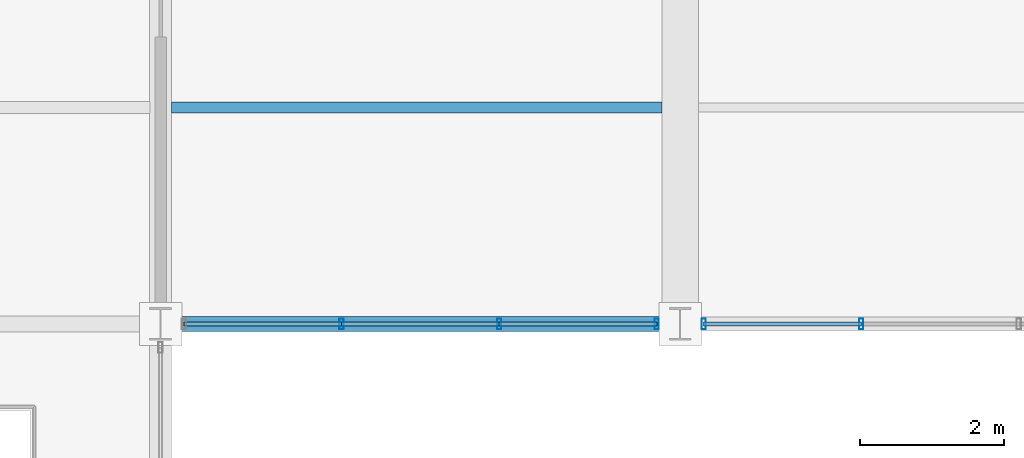
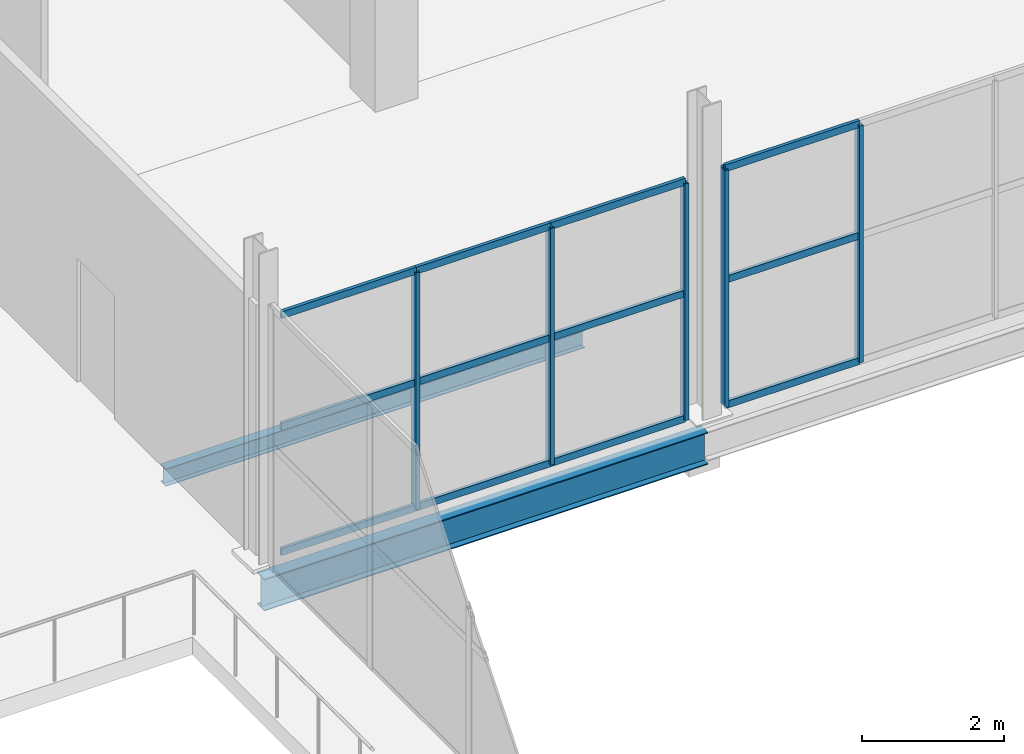
# One storey, part 48 of 147: 17 members, 2 beams, 2 elements without a shape of their own.
"""IFC4 building model written with IfcOpenShell, lengths in metres."""

from ifc_helpers import new_model, si_unit, direction, frame, origin, origin_2d, place, context, subcontext, project, spatial, hollow_rectangle, i_section, extrude, material, layer, layer_set, material_profile, profile_set, type_object, element, aggregate, save


model = new_model("IFC4")

# Units and contexts
model_context = context("Model", 3, precision=1e-05, world=origin(), true_north=direction((0.0, 1.0)))
body_context = subcontext(model_context, "Body", "Model", "MODEL_VIEW")
ifc_project = project(units=[si_unit("LENGTHUNIT", "METRE"), si_unit("AREAUNIT", "SQUARE_METRE"), si_unit("VOLUMEUNIT", "CUBIC_METRE"), si_unit("PLANEANGLEUNIT", "RADIAN"), si_unit("MASSUNIT", "GRAM", prefix="KILO")], contexts=[model_context])

# Site, building, storey
site_placement = place(None, origin())
site = spatial("IfcSite", under=ifc_project, at=site_placement, CompositionType="ELEMENT")
building_placement = place(site_placement, origin())
building = spatial("IfcBuilding", under=site, at=building_placement, Name="Sundgate Opera House", CompositionType="ELEMENT")
storey_placement = place(building_placement, frame((0.0, 0.0, 6.0)))
storey = spatial("IfcBuildingStorey", under=building, at=storey_placement, Name="L01", CompositionType="ELEMENT", Elevation=6.0)

# Beams
ifc_material_1 = material(Name="Steel S355J2", Category="steel")
ifc_material_profile_1 = material_profile(ifc_material_1, i_section(OverallWidth=0.2099609375, OverallDepth=0.550048828125, WebThickness=0.010986328125, FlangeThickness=0.01708984375, at=origin_2d()), Name="IPE 550")
ifc_profile_set_1 = profile_set([ifc_material_profile_1], Name="Steel S355J2")
beam_type_1 = type_object("IfcBeamType", Name="BM-GR-IPE550", PredefinedType="BEAM", material=ifc_profile_set_1)
beam_1_placement = place(storey_placement, frame((117.0, 60.0, -0.574951171875), z_axis=(1.0, 0.0, 0.0), x_axis=(0.0, 1.0, 0.0)))
element("IfcBeam", 1, at=beam_1_placement, inside=storey, type_object=beam_type_1, Name="L01 Primary E-W Girder B1351", PredefinedType="BEAM", context=body_context, shape_type="SweptSolid", body=[
    extrude(i_section(OverallWidth=0.2099609375, OverallDepth=0.550048828125, WebThickness=0.010986328125, FlangeThickness=0.01708984375, at=origin_2d()), origin(), (0.0, 0.0, 1.0), 7.199951171875),
])
ifc_material_2 = material(Name="Steel S355J2", Category="steel")
ifc_material_profile_2 = material_profile(ifc_material_2, i_section(OverallWidth=0.14990234375, OverallDepth=0.300048828125, WebThickness=0.007080078125, FlangeThickness=0.0107421875, at=origin_2d()), Name="IPE 300")
ifc_profile_set_2 = profile_set([ifc_material_profile_2], Name="Steel S355J2")
beam_type_2 = type_object("IfcBeamType", Name="BM-JS-IPE300", PredefinedType="JOIST", material=ifc_profile_set_2)
beam_2_placement = place(storey_placement, frame((117.14990234375, 63.0, -0.449951171875), z_axis=(1.0, 0.0, 0.0), x_axis=(0.0, 1.0, 0.0)))
element("IfcBeam", 2, at=beam_2_placement, inside=storey, type_object=beam_type_2, Name="L01 Secondary Floor Joist B1600", PredefinedType="JOIST", context=body_context, shape_type="SweptSolid", body=[
    extrude(i_section(OverallWidth=0.14990234375, OverallDepth=0.300048828125, WebThickness=0.007080078125, FlangeThickness=0.0107421875, at=origin_2d()), origin(), (0.0, 0.0, 1.0), 6.800048828125),
])

# Curtain wall, members
ifc_material_3 = material(Name="Anodized aluminium and low-iron glass", Category="aluminium")
ifc_layer = layer(ifc_material_3, 0.159912109375)
ifc_layer_set = layer_set([ifc_layer], Name="Anodized aluminium and low-iron glass")
curtain_wall_type = type_object("IfcCurtainWallType", Name="CW-STUDIO-DARK", PredefinedType="NOTDEFINED", material=ifc_layer_set)
curtain_wall_1_placement = place(storey_placement, origin())
curtain_wall_1 = element("IfcCurtainWall", 3, at=curtain_wall_1_placement, inside=storey, type_object=curtain_wall_type, Name="L01 Curtain Wall CW053", PredefinedType="NOTDEFINED")
ifc_material_4 = material(Name="Anodized aluminium EN AW-6063", Category="aluminium")
ifc_material_profile_3 = material_profile(ifc_material_4, hollow_rectangle(XDim=0.06005859375, YDim=0.14990234375, WallThickness=0.00390625, at=origin_2d()), Name="CWM 150x60x4")
ifc_profile_set_3 = profile_set([ifc_material_profile_3], Name="Anodized aluminium EN AW-6063")
member_type_1 = type_object("IfcMemberType", Name="CWM-ALU-150x60", PredefinedType="MULLION", material=ifc_profile_set_3)
member_1_placement = place(storey_placement, frame((123.875, 60.0, 0.0), z_axis=(0.0, 0.0, 1.0), x_axis=(1.0, 0.0, 0.0)))
member_1 = element("IfcMember", 4, at=member_1_placement, type_object=member_type_1, Name="CW053 Mullion 1", PredefinedType="MULLION", context=body_context, shape_type="SweptSolid", body=[
    extrude(hollow_rectangle(XDim=0.06005859375, YDim=0.14990234375, WallThickness=0.00390625, at=origin_2d()), origin(), (0.0, 0.0, 1.0), 4.06494140625),
])
member_2_placement = place(storey_placement, frame((121.691650390625, 60.0, 0.0), z_axis=(0.0, 0.0, 1.0), x_axis=(1.0, 0.0, 0.0)))
member_2 = element("IfcMember", 5, at=member_2_placement, type_object=member_type_1, Name="CW053 Mullion 2", PredefinedType="MULLION", context=body_context, shape_type="SweptSolid", body=[
    extrude(hollow_rectangle(XDim=0.06005859375, YDim=0.14990234375, WallThickness=0.00390625, at=origin_2d()), origin(), (0.0, 0.0, 1.0), 4.06494140625),
])
member_3_placement = place(storey_placement, frame((119.50830078125, 60.0, 0.0), z_axis=(0.0, 0.0, 1.0), x_axis=(1.0, 0.0, 0.0)))
member_3 = element("IfcMember", 6, at=member_3_placement, type_object=member_type_1, Name="CW053 Mullion 3", PredefinedType="MULLION", context=body_context, shape_type="SweptSolid", body=[
    extrude(hollow_rectangle(XDim=0.06005859375, YDim=0.14990234375, WallThickness=0.00390625, at=origin_2d()), origin(), (0.0, 0.0, 1.0), 4.06494140625),
])

curtain_wall_2_placement = place(storey_placement, origin())
curtain_wall_2 = element("IfcCurtainWall", 7, at=curtain_wall_2_placement, inside=storey, type_object=curtain_wall_type, Name="L01 Curtain Wall CW055", PredefinedType="NOTDEFINED")
member_4_placement = place(storey_placement, frame((126.708251953125, 60.0, 0.0), z_axis=(0.0, 0.0, 1.0), x_axis=(1.0, 0.0, 0.0)))
member_4 = element("IfcMember", 8, at=member_4_placement, type_object=member_type_1, Name="CW055 Mullion 3", PredefinedType="MULLION", context=body_context, shape_type="SweptSolid", body=[
    extrude(hollow_rectangle(XDim=0.06005859375, YDim=0.14990234375, WallThickness=0.00390625, at=origin_2d()), origin(), (0.0, 0.0, 1.0), 4.06494140625),
])
member_5_placement = place(storey_placement, frame((124.52490234375, 60.0, 0.0), z_axis=(0.0, 0.0, 1.0), x_axis=(1.0, 0.0, 0.0)))
member_5 = element("IfcMember", 9, at=member_5_placement, type_object=member_type_1, Name="CW055 Mullion 4", PredefinedType="MULLION", context=body_context, shape_type="SweptSolid", body=[
    extrude(hollow_rectangle(XDim=0.06005859375, YDim=0.14990234375, WallThickness=0.00390625, at=origin_2d()), origin(), (0.0, 0.0, 1.0), 4.06494140625),
])

# Member
ifc_material_5 = material(Name="Anodized aluminium EN AW-6063", Category="aluminium")
ifc_material_profile_4 = material_profile(ifc_material_5, hollow_rectangle(XDim=0.054931640625, YDim=0.1201171875, WallThickness=0.00390625, at=origin_2d()), Name="CWT 120x55x4")
ifc_profile_set_4 = profile_set([ifc_material_profile_4], Name="Anodized aluminium EN AW-6063")
member_type_2 = type_object("IfcMemberType", Name="CWT-ALU-120x55", PredefinedType="USERDEFINED", material=ifc_profile_set_4)
member_6_placement = place(storey_placement, frame((123.875, 60.0, 0.0), z_axis=(-1.0, 0.0, 0.0), x_axis=(0.0, -1.0, 0.0)))
member_6 = element("IfcMember", 10, at=member_6_placement, type_object=member_type_2, Name="CW053 Transom 1", ObjectType="TRANSOM", PredefinedType="USERDEFINED", context=body_context, shape_type="SweptSolid", body=[
    extrude(hollow_rectangle(XDim=0.054931640625, YDim=0.1201171875, WallThickness=0.00390625, at=origin_2d()), origin(), (0.0, 0.0, 1.0), 2.183349609375),
])

member_7_placement = place(storey_placement, frame((123.875, 60.0, 2.14990234375), z_axis=(-1.0, 0.0, 0.0), x_axis=(0.0, -1.0, 0.0)))
member_7 = element("IfcMember", 11, at=member_7_placement, type_object=member_type_2, Name="CW053 Transom 2", ObjectType="TRANSOM", PredefinedType="USERDEFINED", context=body_context, shape_type="SweptSolid", body=[
    extrude(hollow_rectangle(XDim=0.054931640625, YDim=0.1201171875, WallThickness=0.00390625, at=origin_2d()), origin(), (0.0, 0.0, 1.0), 2.183349609375),
])

member_8_placement = place(storey_placement, frame((123.875, 60.0, 4.06494140625), z_axis=(-1.0, 0.0, 0.0), x_axis=(0.0, -1.0, 0.0)))
member_8 = element("IfcMember", 12, at=member_8_placement, type_object=member_type_2, Name="CW053 Transom 3", ObjectType="TRANSOM", PredefinedType="USERDEFINED", context=body_context, shape_type="SweptSolid", body=[
    extrude(hollow_rectangle(XDim=0.054931640625, YDim=0.1201171875, WallThickness=0.00390625, at=origin_2d()), origin(), (0.0, 0.0, 1.0), 2.183349609375),
])

member_9_placement = place(storey_placement, frame((121.691650390625, 60.0, 0.0), z_axis=(-1.0, 0.0, 0.0), x_axis=(0.0, -1.0, 0.0)))
member_9 = element("IfcMember", 13, at=member_9_placement, type_object=member_type_2, Name="CW053 Transom 4", ObjectType="TRANSOM", PredefinedType="USERDEFINED", context=body_context, shape_type="SweptSolid", body=[
    extrude(hollow_rectangle(XDim=0.054931640625, YDim=0.1201171875, WallThickness=0.00390625, at=origin_2d()), origin(), (0.0, 0.0, 1.0), 2.183349609375),
])

member_10_placement = place(storey_placement, frame((121.691650390625, 60.0, 2.14990234375), z_axis=(-1.0, 0.0, 0.0), x_axis=(0.0, -1.0, 0.0)))
member_10 = element("IfcMember", 14, at=member_10_placement, type_object=member_type_2, Name="CW053 Transom 5", ObjectType="TRANSOM", PredefinedType="USERDEFINED", context=body_context, shape_type="SweptSolid", body=[
    extrude(hollow_rectangle(XDim=0.054931640625, YDim=0.1201171875, WallThickness=0.00390625, at=origin_2d()), origin(), (0.0, 0.0, 1.0), 2.183349609375),
])

member_11_placement = place(storey_placement, frame((121.691650390625, 60.0, 4.06494140625), z_axis=(-1.0, 0.0, 0.0), x_axis=(0.0, -1.0, 0.0)))
member_11 = element("IfcMember", 15, at=member_11_placement, type_object=member_type_2, Name="CW053 Transom 6", ObjectType="TRANSOM", PredefinedType="USERDEFINED", context=body_context, shape_type="SweptSolid", body=[
    extrude(hollow_rectangle(XDim=0.054931640625, YDim=0.1201171875, WallThickness=0.00390625, at=origin_2d()), origin(), (0.0, 0.0, 1.0), 2.183349609375),
])

member_12_placement = place(storey_placement, frame((119.50830078125, 60.0, 0.0), z_axis=(-1.0, 0.0, 0.0), x_axis=(0.0, -1.0, 0.0)))
member_12 = element("IfcMember", 16, at=member_12_placement, type_object=member_type_2, Name="CW053 Transom 7", ObjectType="TRANSOM", PredefinedType="USERDEFINED", context=body_context, shape_type="SweptSolid", body=[
    extrude(hollow_rectangle(XDim=0.054931640625, YDim=0.1201171875, WallThickness=0.00390625, at=origin_2d()), origin(), (0.0, 0.0, 1.0), 2.183349609375),
])

member_13_placement = place(storey_placement, frame((119.50830078125, 60.0, 2.14990234375), z_axis=(-1.0, 0.0, 0.0), x_axis=(0.0, -1.0, 0.0)))
member_13 = element("IfcMember", 17, at=member_13_placement, type_object=member_type_2, Name="CW053 Transom 8", ObjectType="TRANSOM", PredefinedType="USERDEFINED", context=body_context, shape_type="SweptSolid", body=[
    extrude(hollow_rectangle(XDim=0.054931640625, YDim=0.1201171875, WallThickness=0.00390625, at=origin_2d()), origin(), (0.0, 0.0, 1.0), 2.183349609375),
])

member_14_placement = place(storey_placement, frame((119.50830078125, 60.0, 4.06494140625), z_axis=(-1.0, 0.0, 0.0), x_axis=(0.0, -1.0, 0.0)))
member_14 = element("IfcMember", 18, at=member_14_placement, type_object=member_type_2, Name="CW053 Transom 9", ObjectType="TRANSOM", PredefinedType="USERDEFINED", context=body_context, shape_type="SweptSolid", body=[
    extrude(hollow_rectangle(XDim=0.054931640625, YDim=0.1201171875, WallThickness=0.00390625, at=origin_2d()), origin(), (0.0, 0.0, 1.0), 2.183349609375),
])

aggregate(curtain_wall_1, [member_1, member_2, member_3, member_6, member_7, member_8, member_9, member_10, member_11, member_12, member_13, member_14])

member_15_placement = place(storey_placement, frame((126.708251953125, 60.0, 0.0), z_axis=(-1.0, 0.0, 0.0), x_axis=(0.0, -1.0, 0.0)))
member_15 = element("IfcMember", 19, at=member_15_placement, type_object=member_type_2, Name="CW055 Transom 7", ObjectType="TRANSOM", PredefinedType="USERDEFINED", context=body_context, shape_type="SweptSolid", body=[
    extrude(hollow_rectangle(XDim=0.054931640625, YDim=0.1201171875, WallThickness=0.00390625, at=origin_2d()), origin(), (0.0, 0.0, 1.0), 2.183349609375),
])

member_16_placement = place(storey_placement, frame((126.708251953125, 60.0, 2.14990234375), z_axis=(-1.0, 0.0, 0.0), x_axis=(0.0, -1.0, 0.0)))
member_16 = element("IfcMember", 20, at=member_16_placement, type_object=member_type_2, Name="CW055 Transom 8", ObjectType="TRANSOM", PredefinedType="USERDEFINED", context=body_context, shape_type="SweptSolid", body=[
    extrude(hollow_rectangle(XDim=0.054931640625, YDim=0.1201171875, WallThickness=0.00390625, at=origin_2d()), origin(), (0.0, 0.0, 1.0), 2.183349609375),
])

member_17_placement = place(storey_placement, frame((126.708251953125, 60.0, 4.06494140625), z_axis=(-1.0, 0.0, 0.0), x_axis=(0.0, -1.0, 0.0)))
member_17 = element("IfcMember", 21, at=member_17_placement, type_object=member_type_2, Name="CW055 Transom 9", ObjectType="TRANSOM", PredefinedType="USERDEFINED", context=body_context, shape_type="SweptSolid", body=[
    extrude(hollow_rectangle(XDim=0.054931640625, YDim=0.1201171875, WallThickness=0.00390625, at=origin_2d()), origin(), (0.0, 0.0, 1.0), 2.183349609375),
])

aggregate(curtain_wall_2, [member_4, member_5, member_15, member_16, member_17])

save(model, "model.ifc")
